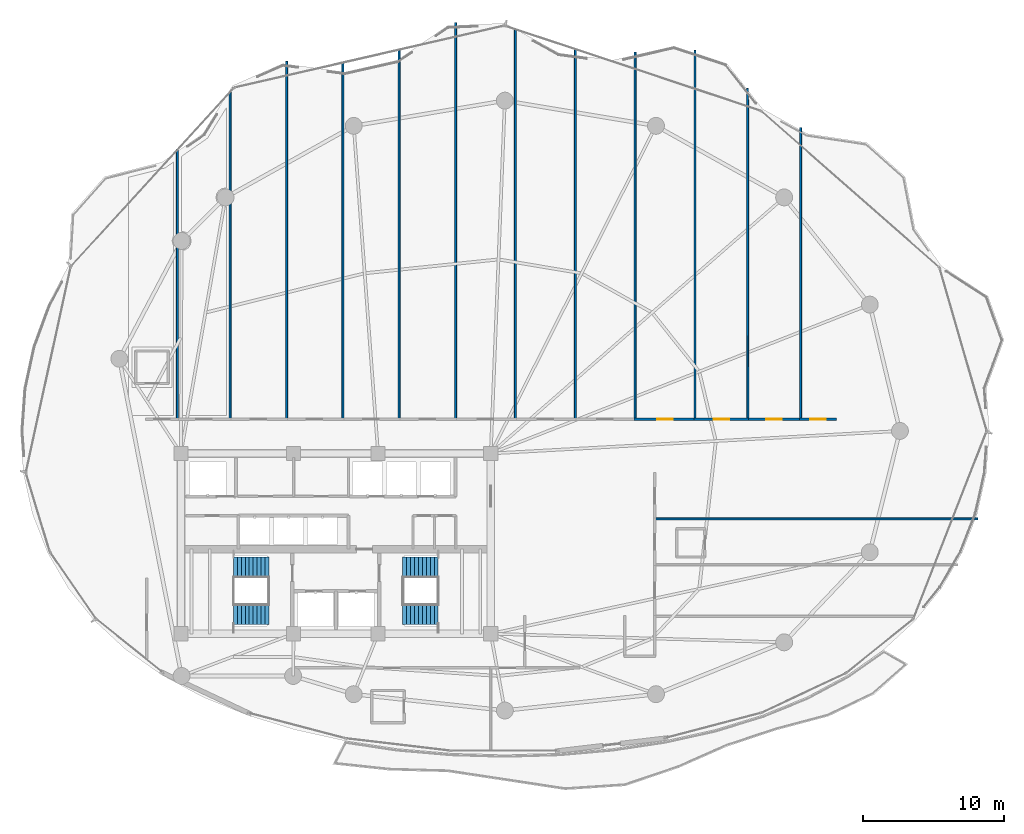
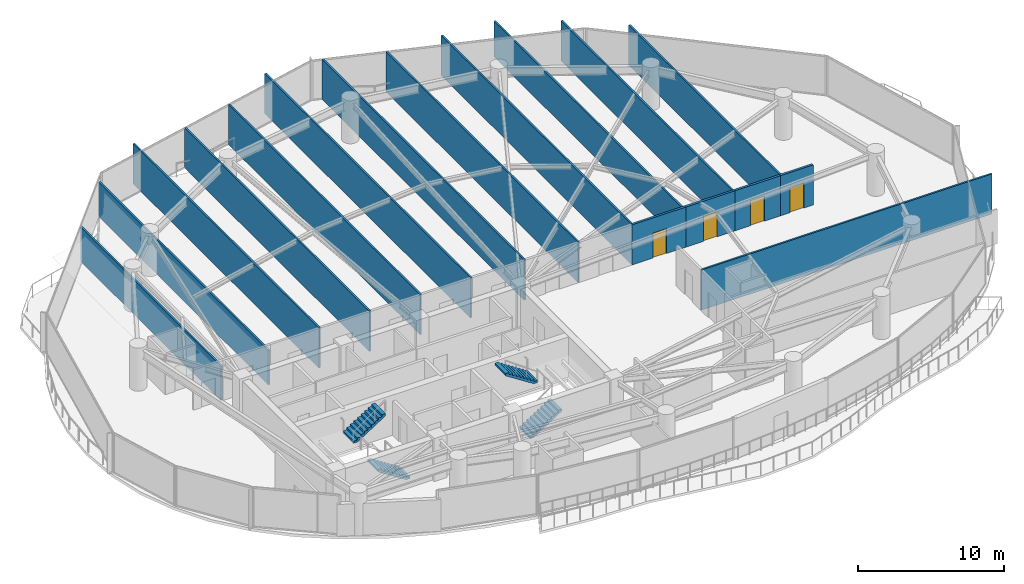
# One storey, part 28 of 34: 17 walls, 4 doors, 4 stair flights, 4 openings, 2 elements without a shape of their own.
"""IFC4 building model written with IfcOpenShell, lengths in metres."""

import ifcopenshell
import ifcopenshell.guid

model = None  # the IFC model being written
_history = None  # IfcOwnerHistory: only IFC2X3 demands one
_inside = {}  # id of a spatial element -> (the spatial element, [elements in it])
_under = {}  # id of a project, library or spatial element -> (it, [spatial elements below it])
_declared = {}  # id of a project -> (the project, [libraries it declares])
_typed = {}  # id of a type object -> (the type object, [elements of that type])
_made_of = {}  # id of a material, layer set ... -> (it, [elements and type objects made of it])


def new_model(schema):
    """Start an empty IFC model of exactly this schema.

    Asked for "IFC4X3", IfcOpenShell would pick the latest addendum, in which some entities
    have other attributes; the version numbers below select the first issue.
    IFC2X3 requires an IfcOwnerHistory on every rooted entity: one is made here for all.
    """
    global model, _history
    if schema == "IFC4X3":
        model = ifcopenshell.file(schema_version=(4, 3, 0, 0))
    else:
        model = ifcopenshell.file(schema=schema)
    _inside.clear()
    _under.clear()
    _declared.clear()
    _typed.clear()
    _made_of.clear()
    _history = None
    if model.schema == "IFC2X3":
        org = make("IfcOrganization", Name="unknown")
        user = make(
            "IfcPersonAndOrganization",
            ThePerson=make("IfcPerson", FamilyName="unknown"),
            TheOrganization=org,
        )
        app = make(
            "IfcApplication",
            ApplicationDeveloper=org,
            Version="unknown",
            ApplicationFullName="unknown",
            ApplicationIdentifier="unknown",
        )
        _history = make(
            "IfcOwnerHistory",
            OwningUser=user,
            OwningApplication=app,
            ChangeAction="ADDED",
            CreationDate=0,
        )
    return model


def make(cls, **values):
    """One entity of the class cls with the attributes given. An attribute that is None is left unset."""
    return model.create_entity(
        cls, **{name: value for name, value in values.items() if value is not None}
    )


def rooted(cls, **values):
    """An entity with a GlobalId (a new one), such as an element, a storey or a relation."""
    return make(cls, GlobalId=ifcopenshell.guid.new(), OwnerHistory=_history, **values)


def si_unit(unit_type, name, prefix=None):
    """IfcSIUnit, for example si_unit("LENGTHUNIT", "METRE", prefix="MILLI")."""
    return make("IfcSIUnit", UnitType=unit_type, Prefix=prefix, Name=name)


def assignment(units):
    """IfcUnitAssignment: the units of a project."""
    return None if units is None else make("IfcUnitAssignment", Units=units)


def point(xyz):
    """IfcCartesianPoint."""
    return None if xyz is None else make("IfcCartesianPoint", Coordinates=xyz)


def direction(xyz):
    """IfcDirection."""
    return None if xyz is None else make("IfcDirection", DirectionRatios=xyz)


def frame(location, z_axis=None, x_axis=None):
    """IfcAxis2Placement3D, a coordinate frame: its origin and axes. An axis left out is left unset."""
    return make(
        "IfcAxis2Placement3D",
        Location=point(location),
        Axis=direction(z_axis),
        RefDirection=direction(x_axis),
    )


def frame_2d(location, x_axis=None):
    """IfcAxis2Placement2D, a coordinate frame in the plane: its origin and x axis."""
    return make(
        "IfcAxis2Placement2D", Location=point(location), RefDirection=direction(x_axis)
    )


def origin():
    """The frame at (0, 0, 0) with its axes left unset."""
    return frame((0.0, 0.0, 0.0))


def place(relative_to, where):
    """IfcLocalPlacement: puts the frame where relative to a parent placement (None: the world)."""
    return make(
        "IfcLocalPlacement", PlacementRelTo=relative_to, RelativePlacement=where
    )


def context(
    kind, dimensions, precision=None, world=None, true_north=None, identifier=None
):
    """IfcGeometricRepresentationContext, for example the 3D "Model" context."""
    return make(
        "IfcGeometricRepresentationContext",
        ContextIdentifier=identifier,
        ContextType=kind,
        CoordinateSpaceDimension=dimensions,
        Precision=precision,
        WorldCoordinateSystem=world,
        TrueNorth=true_north,
    )


def subcontext(parent, identifier, kind, view, scale=None):
    """IfcGeometricRepresentationSubContext, for example "Body" below "Model"."""
    return make(
        "IfcGeometricRepresentationSubContext",
        ContextIdentifier=identifier,
        ContextType=kind,
        ParentContext=parent,
        TargetScale=scale,
        TargetView=view,
    )


def project(units=None, contexts=None):
    """IfcProject with its units and contexts."""
    return rooted(
        "IfcProject",
        Name="project",
        RepresentationContexts=contexts,
        UnitsInContext=assignment(units),
    )


def spatial(cls, under=None, at=None, **own):
    """A site, building, storey or space (cls), placed at a placement, below another one or the project."""
    s = rooted(cls, ObjectPlacement=at, **own)
    if under is not None:
        _under.setdefault(under.id(), (under, []))[1].append(s)
    return s


def polyline(points):
    """IfcPolyline through the points."""
    return make("IfcPolyline", Points=[point(p) for p in points])


def profile(cls, at=None, kind="AREA", **sizes):
    """A parametric profile (cls). Its sizes go by their IFC names, for example OverallWidth=200.0."""
    return make(cls, ProfileType=kind, Position=at, **sizes)


def rectangle(**sizes):
    """IfcRectangleProfileDef."""
    return profile("IfcRectangleProfileDef", **sizes)


def outline(outer, holes=None, kind="AREA"):
    """IfcArbitraryClosedProfileDef: a profile drawn as a closed curve; with holes, ...WithVoids."""
    if holes is None:
        return make("IfcArbitraryClosedProfileDef", ProfileType=kind, OuterCurve=outer)
    return make(
        "IfcArbitraryProfileDefWithVoids",
        ProfileType=kind,
        OuterCurve=outer,
        InnerCurves=holes,
    )


def extrude(swept, where, along, depth):
    """IfcExtrudedAreaSolid: the profile swept, set in the frame where, extruded along a direction by depth."""
    return make(
        "IfcExtrudedAreaSolid",
        SweptArea=swept,
        Position=where,
        ExtrudedDirection=direction(along),
        Depth=depth,
    )


def shape(context_of_items, identifier, shape_type, items):
    """IfcShapeRepresentation: the items that make up one representation, for example the "Body"."""
    return make(
        "IfcShapeRepresentation",
        ContextOfItems=context_of_items,
        RepresentationIdentifier=identifier,
        RepresentationType=shape_type,
        Items=items,
    )


def material(Name=None, Category=None):
    """IfcMaterial."""
    return make("IfcMaterial", Name=Name, Category=Category)


def layer(
    of_material, thickness, ventilated=None, Name=None, Category=None, Priority=None
):
    """IfcMaterialLayer: one layer of a wall or slab, of a material (None: an air gap)."""
    return make(
        "IfcMaterialLayer",
        Material=of_material,
        LayerThickness=thickness,
        IsVentilated=ventilated,
        Name=Name,
        Category=Category,
        Priority=Priority,
    )


def layer_set(layers, Name=None):
    """IfcMaterialLayerSet."""
    return make("IfcMaterialLayerSet", MaterialLayers=layers, LayerSetName=Name)


def made_of(thing, what):
    """Note that an element or type object is made of a material, layer set ...; save() writes the relation."""
    if what is not None:
        _made_of.setdefault(what.id(), (what, []))[1].append(thing)
    return thing


def type_object(cls, material=None, **own):
    """A type object (cls), such as IfcWallType, which elements share."""
    return made_of(rooted(cls, **own), material)


def element(
    cls,
    number,
    at=None,
    inside=None,
    cuts=None,
    type_object=None,
    material=None,
    context=None,
    identifier="Body",
    shape_type=None,
    held_by="IfcProductDefinitionShape",
    body=None,
    shapes=None,
    **own,
):
    """One element of the class cls, such as IfcWall. Its Tag is "e" and its number.

    at: its placement. inside: the storey or other place that contains it. cuts: it is an
    opening in that element (IfcRelVoidsElement). A single representation is given by context,
    identifier, shape_type and body (its items); several are given by shapes. held_by: the class
    of the entity that holds the representations. save() writes the other relations.
    """
    e = rooted(cls, Tag="e%d" % number, ObjectPlacement=at, **own)
    if body is not None:
        shapes = [shape(context, identifier, shape_type, body)]
    if shapes is not None:
        e.Representation = make(held_by, Representations=shapes)
    if inside is not None:
        _inside.setdefault(inside.id(), (inside, []))[1].append(e)
    if cuts is not None:
        rooted(
            "IfcRelVoidsElement", RelatingBuildingElement=cuts, RelatedOpeningElement=e
        )
    if type_object is not None:
        _typed.setdefault(type_object.id(), (type_object, []))[1].append(e)
    return made_of(e, material)


def fill(opening, filler):
    """IfcRelFillsElement: the door or window that sits in an opening."""
    return rooted(
        "IfcRelFillsElement",
        RelatingOpeningElement=opening,
        RelatedBuildingElement=filler,
    )


def aggregate(whole, parts):
    """IfcRelAggregates: a whole, such as a stair, and the parts it consists of."""
    return rooted("IfcRelAggregates", RelatingObject=whole, RelatedObjects=parts)


def save(model, path):
    """Write the relations noted so far, then the file.

    IfcRelAggregates (storeys below a building ...), IfcRelContainedInSpatialStructure (elements
    in a storey), IfcRelDefinesByType, IfcRelAssociatesMaterial and IfcRelDeclares: one each for
    every whole, place, type object, material and project.
    """
    for whole, parts in _under.values():
        aggregate(whole, parts)
    for where, things in _inside.values():
        rooted(
            "IfcRelContainedInSpatialStructure",
            RelatedElements=things,
            RelatingStructure=where,
        )
    for kind, things in _typed.values():
        rooted("IfcRelDefinesByType", RelatedObjects=things, RelatingType=kind)
    for what, things in _made_of.values():
        rooted("IfcRelAssociatesMaterial", RelatedObjects=things, RelatingMaterial=what)
    for by, libraries in _declared.values():
        rooted("IfcRelDeclares", RelatingContext=by, RelatedDefinitions=libraries)
    model.write(path)


model = new_model("IFC4")

# Units and contexts
model_context = context("Model", 3, precision=1e-05, world=origin(), true_north=direction((0.0, 1.0)))
body_context = subcontext(model_context, "Body", "Model", "MODEL_VIEW")
ifc_project = project(units=[si_unit("LENGTHUNIT", "METRE"), si_unit("AREAUNIT", "SQUARE_METRE"), si_unit("VOLUMEUNIT", "CUBIC_METRE"), si_unit("PLANEANGLEUNIT", "RADIAN"), si_unit("MASSUNIT", "GRAM", prefix="KILO")], contexts=[model_context])

# Site, building, storey
site_placement = place(None, origin())
site = spatial("IfcSite", under=ifc_project, at=site_placement, CompositionType="ELEMENT")
building_placement = place(site_placement, origin())
building = spatial("IfcBuilding", under=site, at=building_placement, Name="Kazevale Care Tower and Concert Hall", CompositionType="ELEMENT")
storey_placement = place(building_placement, frame((0.0, 0.0, 163.800048828125)))
storey = spatial("IfcBuildingStorey", under=building, at=storey_placement, Name="L43", CompositionType="ELEMENT", Elevation=163.800048828125)

# Walls
ifc_material_1 = material(Name="Acoustic Gypsum on Steel Stud", Category="steel")
ifc_layer_1 = layer(ifc_material_1, 0.139892578125)
ifc_layer_set_1 = layer_set([ifc_layer_1], Name="Acoustic Gypsum on Steel Stud")
wall_type_1 = type_object("IfcWallType", Name="Acoustic Care & Suite Partition 140", PredefinedType="PARTITIONING", material=ifc_layer_set_1)
wall_1_placement = place(storey_placement, frame((21.75, 58.006103515625, 0.0), z_axis=(0.0, 0.0, 1.0), x_axis=(0.0, -1.0, 0.0)))
element("IfcWall", 1, at=wall_1_placement, inside=storey, type_object=wall_type_1, Name="wall:L43:auto_024", PredefinedType="PARTITIONING", context=body_context, shape_type="SweptSolid", body=[
    extrude(rectangle(XDim=19.211181640625, YDim=0.139892578125, at=frame_2d((9.60546875, 0.0))), origin(), (0.0, 0.0, 1.0), 2.889892578125),
])
wall_2_placement = place(storey_placement, frame((25.5, 62.048828125, 0.0), z_axis=(0.0, 0.0, 1.0), x_axis=(0.0, -1.0, 0.0)))
element("IfcWall", 2, at=wall_2_placement, inside=storey, type_object=wall_type_1, Name="wall:L43:auto_025", PredefinedType="PARTITIONING", context=body_context, shape_type="SweptSolid", body=[
    extrude(rectangle(XDim=23.25390625, YDim=0.139892578125, at=frame_2d((11.626953125, 0.0))), origin(), (0.0, 0.0, 1.0), 2.889892578125),
])
wall_3_placement = place(storey_placement, frame((29.5, 64.243896484375, 0.0), z_axis=(0.0, 0.0, 1.0), x_axis=(0.0, -1.0, 0.0)))
element("IfcWall", 3, at=wall_3_placement, inside=storey, type_object=wall_type_1, Name="wall:L43:auto_026", PredefinedType="PARTITIONING", context=body_context, shape_type="SweptSolid", body=[
    extrude(rectangle(XDim=25.448974609375, YDim=0.139892578125, at=frame_2d((12.724609375, 0.0))), origin(), (0.0, 0.0, 1.0), 3.35986328125),
])
wall_4_placement = place(storey_placement, frame((33.5, 64.1298828125, 0.0), z_axis=(0.0, 0.0, 1.0), x_axis=(0.0, -1.0, 0.0)))
element("IfcWall", 4, at=wall_4_placement, inside=storey, type_object=wall_type_1, Name="wall:L43:auto_027", PredefinedType="PARTITIONING", context=body_context, shape_type="SweptSolid", body=[
    extrude(rectangle(XDim=25.3349609375, YDim=0.139892578125, at=frame_2d((12.66748046875, 0.0))), origin(), (0.0, 0.0, 1.0), 3.35986328125),
])
wall_5_placement = place(storey_placement, frame((37.5, 65.04736328125, 0.0), z_axis=(0.0, 0.0, 1.0), x_axis=(0.0, -1.0, 0.0)))
element("IfcWall", 5, at=wall_5_placement, inside=storey, type_object=wall_type_1, Name="wall:L43:auto_028", PredefinedType="PARTITIONING", context=body_context, shape_type="SweptSolid", body=[
    extrude(rectangle(XDim=26.25244140625, YDim=0.139892578125, at=frame_2d((13.126220703125, 0.0))), origin(), (0.0, 0.0, 1.0), 3.35986328125),
])
wall_6_placement = place(storey_placement, frame((41.5, 66.992919921875, 0.0), z_axis=(0.0, 0.0, 1.0), x_axis=(0.0, -1.0, 0.0)))
element("IfcWall", 6, at=wall_6_placement, inside=storey, type_object=wall_type_1, Name="wall:L43:auto_029", PredefinedType="PARTITIONING", context=body_context, shape_type="SweptSolid", body=[
    extrude(rectangle(XDim=28.197998046875, YDim=0.139892578125, at=frame_2d((14.09912109375, 0.0))), origin(), (0.0, 0.0, 1.0), 3.35986328125),
])
wall_7_placement = place(storey_placement, frame((45.75, 66.495361328125, 0.0), z_axis=(0.0, 0.0, 1.0), x_axis=(0.0, -1.0, 0.0)))
element("IfcWall", 7, at=wall_7_placement, inside=storey, type_object=wall_type_1, Name="wall:L43:auto_030", PredefinedType="PARTITIONING", context=body_context, shape_type="SweptSolid", body=[
    extrude(rectangle(XDim=27.700439453125, YDim=0.139892578125, at=frame_2d((13.85009765625, 0.0))), origin(), (0.0, 0.0, 1.0), 3.35986328125),
])
wall_8_placement = place(storey_placement, frame((50.0, 65.08544921875, 0.0), z_axis=(0.0, 0.0, 1.0), x_axis=(0.0, -1.0, 0.0)))
element("IfcWall", 8, at=wall_8_placement, inside=storey, type_object=wall_type_1, Name="wall:L43:auto_031", PredefinedType="PARTITIONING", context=body_context, shape_type="SweptSolid", body=[
    extrude(rectangle(XDim=26.29052734375, YDim=0.139892578125, at=frame_2d((13.145263671875, 0.0))), origin(), (0.0, 0.0, 1.0), 3.35986328125),
])
wall_9_placement = place(storey_placement, frame((54.25, 64.885986328125, 0.0), z_axis=(0.0, 0.0, 1.0), x_axis=(0.0, -1.0, 0.0)))
element("IfcWall", 9, at=wall_9_placement, inside=storey, type_object=wall_type_1, Name="wall:L43:auto_032", PredefinedType="PARTITIONING", context=body_context, shape_type="SweptSolid", body=[
    extrude(rectangle(XDim=26.091064453125, YDim=0.139892578125, at=frame_2d((13.04541015625, 0.0))), origin(), (0.0, 0.0, 1.0), 3.35986328125),
])
wall_10_placement = place(storey_placement, frame((58.5, 65.02294921875, 0.0), z_axis=(0.0, 0.0, 1.0), x_axis=(0.0, -1.0, 0.0)))
element("IfcWall", 10, at=wall_10_placement, inside=storey, type_object=wall_type_1, Name="wall:L43:auto_033", PredefinedType="PARTITIONING", context=body_context, shape_type="SweptSolid", body=[
    extrude(rectangle(XDim=26.22802734375, YDim=0.139892578125, at=frame_2d((13.114013671875, 0.0))), origin(), (0.0, 0.0, 1.0), 2.995849609375),
])
wall_11_placement = place(storey_placement, frame((62.22802734375, 62.31689453125, 0.0), z_axis=(0.0, 0.0, 1.0), x_axis=(0.000934132821, -0.999999563698, 0.0)))
element("IfcWall", 11, at=wall_11_placement, inside=storey, type_object=wall_type_1, Name="wall:L43:auto_034", PredefinedType="PARTITIONING", context=body_context, shape_type="SweptSolid", body=[
    extrude(rectangle(XDim=23.52197265625, YDim=0.139892578125, at=frame_2d((11.760986328125, 0.0))), origin(), (0.0, 0.0, 1.0), 3.35986328125),
])
wall_12_placement = place(storey_placement, frame((66.0, 59.532958984375, 0.0), z_axis=(0.0, 0.0, 1.0), x_axis=(0.0, -1.0, 0.0)))
element("IfcWall", 12, at=wall_12_placement, inside=storey, type_object=wall_type_1, Name="wall:L43:auto_035", PredefinedType="PARTITIONING", context=body_context, shape_type="SweptSolid", body=[
    extrude(rectangle(XDim=20.738037109375, YDim=0.139892578125, at=frame_2d((10.369140625, 0.0))), origin(), (0.0, 0.0, 1.0), 3.35986328125),
])
wall_13_placement = place(storey_placement, frame((55.6201171875, 31.75, 0.0), z_axis=(0.0, 0.0, 1.0), x_axis=(1.0, 0.0, 0.0)))
element("IfcWall", 13, at=wall_13_placement, inside=storey, type_object=wall_type_1, Name="wall:L43:auto_039", PredefinedType="PARTITIONING", context=body_context, shape_type="SweptSolid", body=[
    extrude(rectangle(XDim=22.9677734375, YDim=0.139892578125, at=frame_2d((11.48388671875, 0.0))), origin(), (0.0, 0.0, 1.0), 3.35986328125),
])

# Wall, opening, door
ifc_material_2 = material(Name="Concrete C40 and Acoustic Gypsum", Category="concrete")
ifc_layer_2 = layer(ifc_material_2, 0.179931640625)
ifc_layer_set_2 = layer_set([ifc_layer_2], Name="Concrete C40 and Acoustic Gypsum")
wall_type_2 = type_object("IfcWallType", Name="Fire-Rated Corridor & Party Wall 180", PredefinedType="PARTITIONING", material=ifc_layer_set_2)
wall_14_placement = place(storey_placement, frame((54.18505859375, 38.824951171875, 0.0), z_axis=(0.0, 0.0, 1.0), x_axis=(1.0, 0.0, 0.0)))
wall_14 = element("IfcWall", 14, at=wall_14_placement, inside=storey, type_object=wall_type_2, Name="wall:L43:auto_010", PredefinedType="PARTITIONING", context=body_context, shape_type="SweptSolid", body=[
    extrude(rectangle(XDim=4.3798828125, YDim=0.179931640625, at=frame_2d((2.18994140625, 0.0))), origin(), (0.0, 0.0, 1.0), 3.35986328125),
])
opening_1_placement = place(wall_14_placement, frame((1.639892578125, 0.0, 0.0)))
opening_1 = element("IfcOpeningElement", 15, at=opening_1_placement, cuts=wall_14, Name="Opening ID-1100", PredefinedType="OPENING", context=body_context, shape_type="SweptSolid", body=[
    extrude(rectangle(XDim=1.10009765625, YDim=2.10009765625, at=frame_2d((0.550048828125, 1.050048828125))), frame((0.0, 0.099853515625, 0.0), z_axis=(0.0, -1.0, 0.0), x_axis=(1.0, 0.0, 0.0)), (0.0, 0.0, 1.0), 0.199951171875),
])
ifc_material_3 = material(Name="Oak Timber Fire Leaf", Category="wood")
door_type = type_object("IfcDoorType", Name="Care Bedroom Accessible Door 1100x2100", OperationType="NOTDEFINED", PredefinedType="DOOR", material=ifc_material_3)
door_1_placement = place(opening_1_placement, origin())
door_1 = element("IfcDoor", 16, at=door_1_placement, inside=storey, type_object=door_type, Name="door:L43:ad_010", OperationType="SINGLE_SWING_LEFT", OverallHeight=2.10009765625, OverallWidth=1.10009765625, PredefinedType="DOOR", context=body_context, shape_type="SweptSolid", body=[
    extrude(rectangle(XDim=1.10009765625, YDim=2.10009765625, at=frame_2d((0.550048828125, 1.050048828125))), frame((0.0, 0.02490234375, 0.0), z_axis=(0.0, -1.0, 0.0), x_axis=(1.0, 0.0, 0.0)), (0.0, 0.0, 1.0), 0.050048828125),
])
fill(opening_1, door_1)

wall_15_placement = place(storey_placement, frame((58.43505859375, 38.824951171875, 0.0), z_axis=(0.0, 0.0, 1.0), x_axis=(1.0, 0.0, 0.0)))
wall_15 = element("IfcWall", 17, at=wall_15_placement, inside=storey, type_object=wall_type_2, Name="wall:L43:auto_011", PredefinedType="PARTITIONING", context=body_context, shape_type="SweptSolid", body=[
    extrude(rectangle(XDim=3.8798828125, YDim=0.179931640625, at=frame_2d((1.93994140625, 0.0))), origin(), (0.0, 0.0, 1.0), 3.35986328125),
])
opening_2_placement = place(wall_15_placement, frame((1.389892578125, 0.0, 0.0)))
opening_2 = element("IfcOpeningElement", 18, at=opening_2_placement, cuts=wall_15, Name="Opening ID-1100", PredefinedType="OPENING", context=body_context, shape_type="SweptSolid", body=[
    extrude(rectangle(XDim=1.10009765625, YDim=2.10009765625, at=frame_2d((0.550048828125, 1.050048828125))), frame((0.0, 0.099853515625, 0.0), z_axis=(0.0, -1.0, 0.0), x_axis=(1.0, 0.0, 0.0)), (0.0, 0.0, 1.0), 0.199951171875),
])
door_2_placement = place(opening_2_placement, origin())
door_2 = element("IfcDoor", 19, at=door_2_placement, inside=storey, type_object=door_type, Name="door:L43:ad_011", OperationType="SINGLE_SWING_LEFT", OverallHeight=2.10009765625, OverallWidth=1.10009765625, PredefinedType="DOOR", context=body_context, shape_type="SweptSolid", body=[
    extrude(rectangle(XDim=1.10009765625, YDim=2.10009765625, at=frame_2d((0.550048828125, 1.050048828125))), frame((0.0, 0.02490234375, 0.0), z_axis=(0.0, -1.0, 0.0), x_axis=(1.0, 0.0, 0.0)), (0.0, 0.0, 1.0), 0.050048828125),
])
fill(opening_2, door_2)

wall_16_placement = place(storey_placement, frame((62.18505859375, 38.824951171875, 0.0), z_axis=(0.0, 0.0, 1.0), x_axis=(1.0, 0.0, 0.0)))
wall_16 = element("IfcWall", 20, at=wall_16_placement, inside=storey, type_object=wall_type_2, Name="wall:L43:auto_012", PredefinedType="PARTITIONING", context=body_context, shape_type="SweptSolid", body=[
    extrude(rectangle(XDim=3.8798828125, YDim=0.179931640625, at=frame_2d((1.93994140625, 0.0))), origin(), (0.0, 0.0, 1.0), 3.35986328125),
])
opening_3_placement = place(wall_16_placement, frame((1.389892578125, 0.0, 0.0)))
opening_3 = element("IfcOpeningElement", 21, at=opening_3_placement, cuts=wall_16, Name="Opening ID-1100", PredefinedType="OPENING", context=body_context, shape_type="SweptSolid", body=[
    extrude(rectangle(XDim=1.10009765625, YDim=2.10009765625, at=frame_2d((0.550048828125, 1.050048828125))), frame((0.0, 0.099853515625, 0.0), z_axis=(0.0, -1.0, 0.0), x_axis=(1.0, 0.0, 0.0)), (0.0, 0.0, 1.0), 0.199951171875),
])
door_3_placement = place(opening_3_placement, origin())
door_3 = element("IfcDoor", 22, at=door_3_placement, inside=storey, type_object=door_type, Name="door:L43:ad_012", OperationType="SINGLE_SWING_LEFT", OverallHeight=2.10009765625, OverallWidth=1.10009765625, PredefinedType="DOOR", context=body_context, shape_type="SweptSolid", body=[
    extrude(rectangle(XDim=1.10009765625, YDim=2.10009765625, at=frame_2d((0.550048828125, 1.050048828125))), frame((0.0, 0.02490234375, 0.0), z_axis=(0.0, -1.0, 0.0), x_axis=(1.0, 0.0, 0.0)), (0.0, 0.0, 1.0), 0.050048828125),
])
fill(opening_3, door_3)

wall_17_placement = place(storey_placement, frame((65.93505859375, 38.824951171875, 0.0), z_axis=(0.0, 0.0, 1.0), x_axis=(1.0, 0.0, 0.0)))
wall_17 = element("IfcWall", 23, at=wall_17_placement, inside=storey, type_object=wall_type_2, Name="wall:L43:auto_013", PredefinedType="PARTITIONING", context=body_context, shape_type="SweptSolid", body=[
    extrude(rectangle(XDim=2.594970703125, YDim=0.179931640625, at=frame_2d((1.29736328125, 0.0))), origin(), (0.0, 0.0, 1.0), 3.35986328125),
])
opening_4_placement = place(wall_17_placement, frame((0.748046875, 0.0, 0.0)))
opening_4 = element("IfcOpeningElement", 24, at=opening_4_placement, cuts=wall_17, Name="Opening ID-1100", PredefinedType="OPENING", context=body_context, shape_type="SweptSolid", body=[
    extrude(rectangle(XDim=1.10009765625, YDim=2.10009765625, at=frame_2d((0.550048828125, 1.050048828125))), frame((0.0, 0.099853515625, 0.0), z_axis=(0.0, -1.0, 0.0), x_axis=(1.0, 0.0, 0.0)), (0.0, 0.0, 1.0), 0.199951171875),
])
door_4_placement = place(opening_4_placement, origin())
door_4 = element("IfcDoor", 25, at=door_4_placement, inside=storey, type_object=door_type, Name="door:L43:ad_013", OperationType="SINGLE_SWING_LEFT", OverallHeight=2.10009765625, OverallWidth=1.10009765625, PredefinedType="DOOR", context=body_context, shape_type="SweptSolid", body=[
    extrude(rectangle(XDim=1.10009765625, YDim=2.10009765625, at=frame_2d((0.550048828125, 1.050048828125))), frame((0.0, 0.02490234375, 0.0), z_axis=(0.0, -1.0, 0.0), x_axis=(1.0, 0.0, 0.0)), (0.0, 0.0, 1.0), 0.050048828125),
])
fill(opening_4, door_4)

# Stair, stair flights
ifc_material_4 = material(Name="Concrete C40", Category="concrete")
stair_type = type_object("IfcStairType", Name="Exit Stair Assembly ST1-Z2", PredefinedType="HALF_TURN_STAIR", material=ifc_material_4)
stair_1_placement = place(storey_placement, origin())
stair_1 = element("IfcStair", 26, at=stair_1_placement, inside=storey, type_object=stair_type, Name="stair:L43:ST1", PredefinedType="HALF_TURN_STAIR")
ifc_layer_3 = layer(ifc_material_4, 0.159912109375)
ifc_layer_set_3 = layer_set([ifc_layer_3], Name="Concrete C40")
stair_flight_type = type_object("IfcStairFlightType", Name="Exit Stair Flight ST1-Z2", PredefinedType="STRAIGHT", material=ifc_layer_set_3)
stair_flight_1_placement = place(storey_placement, frame((28.25, 24.97998046875, 0.0), z_axis=(0.0, 0.0, 1.0), x_axis=(-1.0, 0.0, 0.0)))
stair_flight_1 = element("IfcStairFlight", 27, at=stair_flight_1_placement, type_object=stair_flight_type, Name="ST1-Z2 flight 1", NumberOfRisers=10, NumberOfTreads=9, PredefinedType="STRAIGHT", RiserHeight=0.18, TreadLength=0.28, context=body_context, shape_type="SweptSolid", body=[
    extrude(outline(polyline([(0.0, 0.0), (0.0, 0.179931640625), (0.280029296875, 0.179931640625), (0.280029296875, 0.360107421875), (0.56005859375, 0.360107421875), (0.56005859375, 0.5400390625), (0.840087890625, 0.5400390625), (0.840087890625, 0.719970703125), (1.1201171875, 0.719970703125), (1.1201171875, 0.89990234375), (1.39990234375, 0.89990234375), (1.39990234375, 1.080078125), (1.679931640625, 1.080078125), (1.679931640625, 1.260009765625), (1.9599609375, 1.260009765625), (1.9599609375, 1.43994140625), (2.239990234375, 1.43994140625), (2.239990234375, 1.6201171875), (2.52001953125, 1.6201171875), (2.52001953125, 1.800048828125), (2.52001953125, 1.429931640625), (0.295654296875, 0.0), (0.0, 0.0)])), frame((0.0, 0.72998046875, 0.0), z_axis=(0.0, -1.0, 0.0), x_axis=(1.0, 0.0, 0.0)), (0.0, 0.0, 1.0), 1.4599609375),
])
stair_flight_2_placement = place(storey_placement, frame((25.72998046875, 28.320068359375, 1.800048828125), z_axis=(0.0, 0.0, 1.0), x_axis=(1.0, 0.0, 0.0)))
stair_flight_2 = element("IfcStairFlight", 28, at=stair_flight_2_placement, type_object=stair_flight_type, Name="ST1-Z2 flight 2", NumberOfRisers=10, NumberOfTreads=9, PredefinedType="STRAIGHT", RiserHeight=0.18, TreadLength=0.28, context=body_context, shape_type="SweptSolid", body=[
    extrude(outline(polyline([(0.0, 0.0), (0.0, 0.179931640625), (0.280029296875, 0.179931640625), (0.280029296875, 0.360107421875), (0.56005859375, 0.360107421875), (0.56005859375, 0.5400390625), (0.840087890625, 0.5400390625), (0.840087890625, 0.719970703125), (1.1201171875, 0.719970703125), (1.1201171875, 0.89990234375), (1.39990234375, 0.89990234375), (1.39990234375, 1.080078125), (1.679931640625, 1.080078125), (1.679931640625, 1.260009765625), (1.9599609375, 1.260009765625), (1.9599609375, 1.43994140625), (2.239990234375, 1.43994140625), (2.239990234375, 1.6201171875), (2.52001953125, 1.6201171875), (2.52001953125, 1.800048828125), (2.52001953125, 1.429931640625), (0.295654296875, 0.0), (0.0, 0.0)])), frame((0.0, 0.72998046875, 0.0), z_axis=(0.0, -1.0, 0.0), x_axis=(1.0, 0.0, 0.0)), (0.0, 0.0, 1.0), 1.4599609375),
])
aggregate(stair_1, [stair_flight_1, stair_flight_2])

stair_2_placement = place(storey_placement, origin())
stair_2 = element("IfcStair", 29, at=stair_2_placement, inside=storey, type_object=stair_type, Name="stair:L43:ST2", PredefinedType="HALF_TURN_STAIR")
stair_flight_3_placement = place(storey_placement, frame((37.75, 24.97998046875, 0.0), z_axis=(0.0, 0.0, 1.0), x_axis=(1.0, 0.0, 0.0)))
stair_flight_3 = element("IfcStairFlight", 30, at=stair_flight_3_placement, type_object=stair_flight_type, Name="ST1-Z2 flight 1", NumberOfRisers=10, NumberOfTreads=9, PredefinedType="STRAIGHT", RiserHeight=0.18, TreadLength=0.28, context=body_context, shape_type="SweptSolid", body=[
    extrude(outline(polyline([(0.0, 0.0), (0.0, 0.179931640625), (0.280029296875, 0.179931640625), (0.280029296875, 0.360107421875), (0.56005859375, 0.360107421875), (0.56005859375, 0.5400390625), (0.840087890625, 0.5400390625), (0.840087890625, 0.719970703125), (1.1201171875, 0.719970703125), (1.1201171875, 0.89990234375), (1.39990234375, 0.89990234375), (1.39990234375, 1.080078125), (1.679931640625, 1.080078125), (1.679931640625, 1.260009765625), (1.9599609375, 1.260009765625), (1.9599609375, 1.43994140625), (2.239990234375, 1.43994140625), (2.239990234375, 1.6201171875), (2.52001953125, 1.6201171875), (2.52001953125, 1.800048828125), (2.52001953125, 1.429931640625), (0.295654296875, 0.0), (0.0, 0.0)])), frame((0.0, 0.72998046875, 0.0), z_axis=(0.0, -1.0, 0.0), x_axis=(1.0, 0.0, 0.0)), (0.0, 0.0, 1.0), 1.4599609375),
])
stair_flight_4_placement = place(storey_placement, frame((40.27001953125, 28.320068359375, 1.800048828125), z_axis=(0.0, 0.0, 1.0), x_axis=(-1.0, 0.0, 0.0)))
stair_flight_4 = element("IfcStairFlight", 31, at=stair_flight_4_placement, type_object=stair_flight_type, Name="ST1-Z2 flight 2", NumberOfRisers=10, NumberOfTreads=9, PredefinedType="STRAIGHT", RiserHeight=0.18, TreadLength=0.28, context=body_context, shape_type="SweptSolid", body=[
    extrude(outline(polyline([(0.0, 0.0), (0.0, 0.179931640625), (0.280029296875, 0.179931640625), (0.280029296875, 0.360107421875), (0.56005859375, 0.360107421875), (0.56005859375, 0.5400390625), (0.840087890625, 0.5400390625), (0.840087890625, 0.719970703125), (1.1201171875, 0.719970703125), (1.1201171875, 0.89990234375), (1.39990234375, 0.89990234375), (1.39990234375, 1.080078125), (1.679931640625, 1.080078125), (1.679931640625, 1.260009765625), (1.9599609375, 1.260009765625), (1.9599609375, 1.43994140625), (2.239990234375, 1.43994140625), (2.239990234375, 1.6201171875), (2.52001953125, 1.6201171875), (2.52001953125, 1.800048828125), (2.52001953125, 1.429931640625), (0.295654296875, 0.0), (0.0, 0.0)])), frame((0.0, 0.72998046875, 0.0), z_axis=(0.0, -1.0, 0.0), x_axis=(1.0, 0.0, 0.0)), (0.0, 0.0, 1.0), 1.4599609375),
])
aggregate(stair_2, [stair_flight_3, stair_flight_4])

save(model, "model.ifc")
